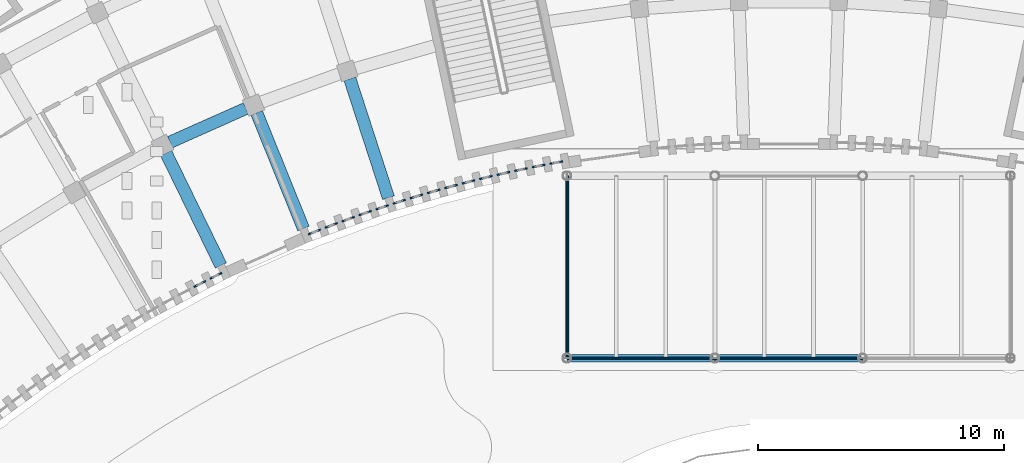
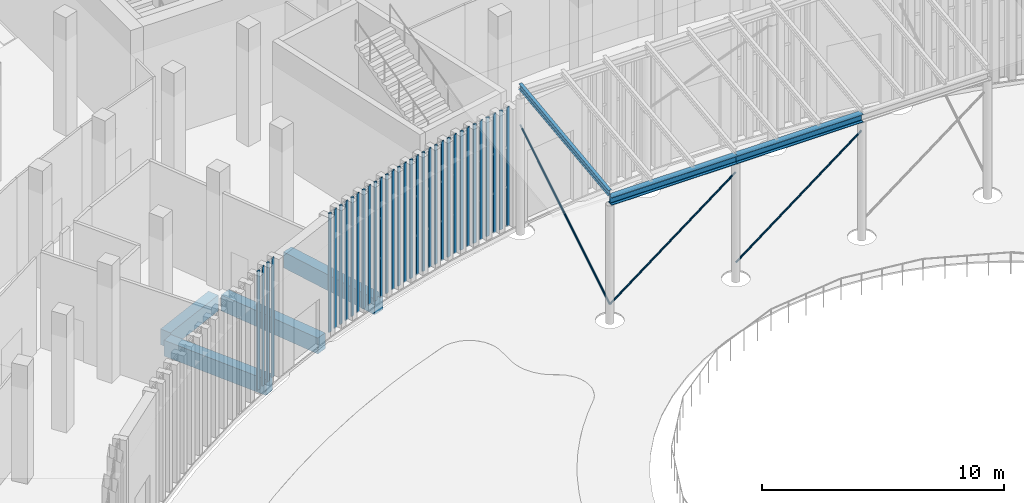
# One storey, part 29 of 155: 37 members, 7 beams, 17 elements without a shape of their own.
"""IFC4 building model written with IfcOpenShell, lengths in metres."""

import ifcopenshell
import ifcopenshell.guid

model = None  # the IFC model being written
_history = None  # IfcOwnerHistory: only IFC2X3 demands one
_inside = {}  # id of a spatial element -> (the spatial element, [elements in it])
_under = {}  # id of a project, library or spatial element -> (it, [spatial elements below it])
_declared = {}  # id of a project -> (the project, [libraries it declares])
_typed = {}  # id of a type object -> (the type object, [elements of that type])
_made_of = {}  # id of a material, layer set ... -> (it, [elements and type objects made of it])


def new_model(schema):
    """Start an empty IFC model of exactly this schema.

    Asked for "IFC4X3", IfcOpenShell would pick the latest addendum, in which some entities
    have other attributes; the version numbers below select the first issue.
    IFC2X3 requires an IfcOwnerHistory on every rooted entity: one is made here for all.
    """
    global model, _history
    if schema == "IFC4X3":
        model = ifcopenshell.file(schema_version=(4, 3, 0, 0))
    else:
        model = ifcopenshell.file(schema=schema)
    _inside.clear()
    _under.clear()
    _declared.clear()
    _typed.clear()
    _made_of.clear()
    _history = None
    if model.schema == "IFC2X3":
        org = make("IfcOrganization", Name="unknown")
        user = make(
            "IfcPersonAndOrganization",
            ThePerson=make("IfcPerson", FamilyName="unknown"),
            TheOrganization=org,
        )
        app = make(
            "IfcApplication",
            ApplicationDeveloper=org,
            Version="unknown",
            ApplicationFullName="unknown",
            ApplicationIdentifier="unknown",
        )
        _history = make(
            "IfcOwnerHistory",
            OwningUser=user,
            OwningApplication=app,
            ChangeAction="ADDED",
            CreationDate=0,
        )
    return model


def make(cls, **values):
    """One entity of the class cls with the attributes given. An attribute that is None is left unset."""
    return model.create_entity(
        cls, **{name: value for name, value in values.items() if value is not None}
    )


def rooted(cls, **values):
    """An entity with a GlobalId (a new one), such as an element, a storey or a relation."""
    return make(cls, GlobalId=ifcopenshell.guid.new(), OwnerHistory=_history, **values)


def si_unit(unit_type, name, prefix=None):
    """IfcSIUnit, for example si_unit("LENGTHUNIT", "METRE", prefix="MILLI")."""
    return make("IfcSIUnit", UnitType=unit_type, Prefix=prefix, Name=name)


def assignment(units):
    """IfcUnitAssignment: the units of a project."""
    return None if units is None else make("IfcUnitAssignment", Units=units)


def point(xyz):
    """IfcCartesianPoint."""
    return None if xyz is None else make("IfcCartesianPoint", Coordinates=xyz)


def direction(xyz):
    """IfcDirection."""
    return None if xyz is None else make("IfcDirection", DirectionRatios=xyz)


def frame(location, z_axis=None, x_axis=None):
    """IfcAxis2Placement3D, a coordinate frame: its origin and axes. An axis left out is left unset."""
    return make(
        "IfcAxis2Placement3D",
        Location=point(location),
        Axis=direction(z_axis),
        RefDirection=direction(x_axis),
    )


def frame_2d(location, x_axis=None):
    """IfcAxis2Placement2D, a coordinate frame in the plane: its origin and x axis."""
    return make(
        "IfcAxis2Placement2D", Location=point(location), RefDirection=direction(x_axis)
    )


def origin():
    """The frame at (0, 0, 0) with its axes left unset."""
    return frame((0.0, 0.0, 0.0))


def origin_2d():
    """The frame at (0, 0) in the plane with its x axis left unset."""
    return frame_2d((0.0, 0.0))


def place(relative_to, where):
    """IfcLocalPlacement: puts the frame where relative to a parent placement (None: the world)."""
    return make(
        "IfcLocalPlacement", PlacementRelTo=relative_to, RelativePlacement=where
    )


def context(
    kind, dimensions, precision=None, world=None, true_north=None, identifier=None
):
    """IfcGeometricRepresentationContext, for example the 3D "Model" context."""
    return make(
        "IfcGeometricRepresentationContext",
        ContextIdentifier=identifier,
        ContextType=kind,
        CoordinateSpaceDimension=dimensions,
        Precision=precision,
        WorldCoordinateSystem=world,
        TrueNorth=true_north,
    )


def subcontext(parent, identifier, kind, view, scale=None):
    """IfcGeometricRepresentationSubContext, for example "Body" below "Model"."""
    return make(
        "IfcGeometricRepresentationSubContext",
        ContextIdentifier=identifier,
        ContextType=kind,
        ParentContext=parent,
        TargetScale=scale,
        TargetView=view,
    )


def project(units=None, contexts=None):
    """IfcProject with its units and contexts."""
    return rooted(
        "IfcProject",
        Name="project",
        RepresentationContexts=contexts,
        UnitsInContext=assignment(units),
    )


def spatial(cls, under=None, at=None, **own):
    """A site, building, storey or space (cls), placed at a placement, below another one or the project."""
    s = rooted(cls, ObjectPlacement=at, **own)
    if under is not None:
        _under.setdefault(under.id(), (under, []))[1].append(s)
    return s


def profile(cls, at=None, kind="AREA", **sizes):
    """A parametric profile (cls). Its sizes go by their IFC names, for example OverallWidth=200.0."""
    return make(cls, ProfileType=kind, Position=at, **sizes)


def rectangle(**sizes):
    """IfcRectangleProfileDef."""
    return profile("IfcRectangleProfileDef", **sizes)


def hollow_circle(**sizes):
    """IfcCircleHollowProfileDef."""
    return profile("IfcCircleHollowProfileDef", **sizes)


def i_section(**sizes):
    """IfcIShapeProfileDef."""
    return profile("IfcIShapeProfileDef", **sizes)


def extrude(swept, where, along, depth):
    """IfcExtrudedAreaSolid: the profile swept, set in the frame where, extruded along a direction by depth."""
    return make(
        "IfcExtrudedAreaSolid",
        SweptArea=swept,
        Position=where,
        ExtrudedDirection=direction(along),
        Depth=depth,
    )


def shape(context_of_items, identifier, shape_type, items):
    """IfcShapeRepresentation: the items that make up one representation, for example the "Body"."""
    return make(
        "IfcShapeRepresentation",
        ContextOfItems=context_of_items,
        RepresentationIdentifier=identifier,
        RepresentationType=shape_type,
        Items=items,
    )


def material(Name=None, Category=None):
    """IfcMaterial."""
    return make("IfcMaterial", Name=Name, Category=Category)


def layer(
    of_material, thickness, ventilated=None, Name=None, Category=None, Priority=None
):
    """IfcMaterialLayer: one layer of a wall or slab, of a material (None: an air gap)."""
    return make(
        "IfcMaterialLayer",
        Material=of_material,
        LayerThickness=thickness,
        IsVentilated=ventilated,
        Name=Name,
        Category=Category,
        Priority=Priority,
    )


def layer_set(layers, Name=None):
    """IfcMaterialLayerSet."""
    return make("IfcMaterialLayerSet", MaterialLayers=layers, LayerSetName=Name)


def material_profile(
    of_material, cross_section, Name=None, Category=None, Priority=None
):
    """IfcMaterialProfile: a cross section and its material."""
    return make(
        "IfcMaterialProfile",
        Name=Name,
        Material=of_material,
        Profile=cross_section,
        Priority=Priority,
        Category=Category,
    )


def profile_set(profiles, Name=None, composite=None):
    """IfcMaterialProfileSet."""
    return make(
        "IfcMaterialProfileSet",
        Name=Name,
        MaterialProfiles=profiles,
        CompositeProfile=composite,
    )


def made_of(thing, what):
    """Note that an element or type object is made of a material, layer set ...; save() writes the relation."""
    if what is not None:
        _made_of.setdefault(what.id(), (what, []))[1].append(thing)
    return thing


def type_object(cls, material=None, **own):
    """A type object (cls), such as IfcWallType, which elements share."""
    return made_of(rooted(cls, **own), material)


def element(
    cls,
    number,
    at=None,
    inside=None,
    cuts=None,
    type_object=None,
    material=None,
    context=None,
    identifier="Body",
    shape_type=None,
    held_by="IfcProductDefinitionShape",
    body=None,
    shapes=None,
    **own,
):
    """One element of the class cls, such as IfcWall. Its Tag is "e" and its number.

    at: its placement. inside: the storey or other place that contains it. cuts: it is an
    opening in that element (IfcRelVoidsElement). A single representation is given by context,
    identifier, shape_type and body (its items); several are given by shapes. held_by: the class
    of the entity that holds the representations. save() writes the other relations.
    """
    e = rooted(cls, Tag="e%d" % number, ObjectPlacement=at, **own)
    if body is not None:
        shapes = [shape(context, identifier, shape_type, body)]
    if shapes is not None:
        e.Representation = make(held_by, Representations=shapes)
    if inside is not None:
        _inside.setdefault(inside.id(), (inside, []))[1].append(e)
    if cuts is not None:
        rooted(
            "IfcRelVoidsElement", RelatingBuildingElement=cuts, RelatedOpeningElement=e
        )
    if type_object is not None:
        _typed.setdefault(type_object.id(), (type_object, []))[1].append(e)
    return made_of(e, material)


def aggregate(whole, parts):
    """IfcRelAggregates: a whole, such as a stair, and the parts it consists of."""
    return rooted("IfcRelAggregates", RelatingObject=whole, RelatedObjects=parts)


def save(model, path):
    """Write the relations noted so far, then the file.

    IfcRelAggregates (storeys below a building ...), IfcRelContainedInSpatialStructure (elements
    in a storey), IfcRelDefinesByType, IfcRelAssociatesMaterial and IfcRelDeclares: one each for
    every whole, place, type object, material and project.
    """
    for whole, parts in _under.values():
        aggregate(whole, parts)
    for where, things in _inside.values():
        rooted(
            "IfcRelContainedInSpatialStructure",
            RelatedElements=things,
            RelatingStructure=where,
        )
    for kind, things in _typed.values():
        rooted("IfcRelDefinesByType", RelatedObjects=things, RelatingType=kind)
    for what, things in _made_of.values():
        rooted("IfcRelAssociatesMaterial", RelatedObjects=things, RelatingMaterial=what)
    for by, libraries in _declared.values():
        rooted("IfcRelDeclares", RelatingContext=by, RelatedDefinitions=libraries)
    model.write(path)


model = new_model("IFC4")

# Units and contexts
model_context = context("Model", 3, precision=1e-05, world=origin(), true_north=direction((0.0, 1.0)))
body_context = subcontext(model_context, "Body", "Model", "MODEL_VIEW")
ifc_project = project(units=[si_unit("LENGTHUNIT", "METRE"), si_unit("AREAUNIT", "SQUARE_METRE"), si_unit("VOLUMEUNIT", "CUBIC_METRE"), si_unit("PLANEANGLEUNIT", "RADIAN"), si_unit("MASSUNIT", "GRAM", prefix="KILO")], contexts=[model_context])

# Site, building, storey
site_placement = place(None, origin())
site = spatial("IfcSite", under=ifc_project, at=site_placement, CompositionType="ELEMENT")
building_placement = place(site_placement, origin())
building = spatial("IfcBuilding", under=site, at=building_placement, Name="Lunette Opera House", CompositionType="ELEMENT")
storey_placement = place(building_placement, origin())
storey = spatial("IfcBuildingStorey", under=building, at=storey_placement, Name="L00", CompositionType="ELEMENT", Elevation=0.0)

# Members
ifc_material_1 = material(Name="Steel S355", Category="steel")
ifc_material_profile_1 = material_profile(ifc_material_1, hollow_circle(Radius=0.04443359375, WallThickness=0.00390625, at=origin_2d()), Name="CHS 88.9X4")
ifc_profile_set_1 = profile_set([ifc_material_profile_1], Name="Steel S355")
member_type_1 = type_object("IfcMemberType", Name="BRACING CHS 88.9X4", PredefinedType="BRACE", material=ifc_profile_set_1)
for number, where, z_axis, x_axis, name in (
    (1, (87.0, 43.5, 0.800048828125), (0.796096023069, 0.0, 0.605170324828), (0.0, 1.0, 0.0), "mem-EC-L00-BR1"),
    (2, (93.0, 43.5, 0.800048828125), (0.796096023069, 0.0, 0.605170324828), (0.0, 1.0, 0.0), "mem-EC-L00-BR2"),
):
    element("IfcMember", number, at=place(storey_placement, frame(where, z_axis=z_axis, x_axis=x_axis)), inside=storey, type_object=member_type_1, Name=name, PredefinedType="BRACE", context=body_context, shape_type="SweptSolid", body=[
        extrude(hollow_circle(Radius=0.04443359375, WallThickness=0.00390625, at=origin_2d()), origin(), (0.0, 0.0, 1.0), 7.536865234375),
    ])
member_1_placement = place(storey_placement, frame((87.0, 43.5, 0.800048828125), z_axis=(0.0, 0.851285872344, 0.524702166517), x_axis=(-1.0, 0.0, 0.0)))
element("IfcMember", 3, at=member_1_placement, inside=storey, type_object=member_type_1, Name="mem-EC-L00-BS1", PredefinedType="BRACE", context=body_context, shape_type="SweptSolid", body=[
    extrude(hollow_circle(Radius=0.04443359375, WallThickness=0.00390625, at=origin_2d()), origin(), (0.0, 0.0, 1.0), 8.692626953125),
])

# Curtain wall, members
ifc_material_2 = material(Name="Aluminium", Category="aluminium")
ifc_layer = layer(ifc_material_2, 0.1201171875)
ifc_layer_set = layer_set([ifc_layer], Name="Aluminium")
curtain_wall_type = type_object("IfcCurtainWallType", Name="SLOT CURTAIN WALL", PredefinedType="NOTDEFINED", material=ifc_layer_set)
curtain_wall_1_placement = place(storey_placement, origin())
curtain_wall_1 = element("IfcCurtainWall", 4, at=curtain_wall_1_placement, inside=storey, type_object=curtain_wall_type, Name="Slot Curtain Wall CS019 L00", PredefinedType="NOTDEFINED")
ifc_material_3 = material(Name="Aluminium", Category="aluminium")
ifc_material_profile_2 = material_profile(ifc_material_3, rectangle(XDim=0.06005859375, YDim=0.159912109375, at=origin_2d()), Name="MULLION 60 X 160")
ifc_profile_set_2 = profile_set([ifc_material_profile_2], Name="Aluminium")
member_type_2 = type_object("IfcMemberType", Name="MULLION 60 X 160", PredefinedType="MULLION", material=ifc_profile_set_2)
member_2_placement = place(storey_placement, frame((71.9296875, 46.431640625, 0.0), z_axis=(0.0, 0.0, 1.0), x_axis=(-0.45650577905, 0.889720446935, 0.0)))
member_2 = element("IfcMember", 5, at=member_2_placement, type_object=member_type_2, Name="FC-X2037 mullion 1", PredefinedType="MULLION", context=body_context, shape_type="SweptSolid", body=[
    extrude(rectangle(XDim=0.06005859375, YDim=0.159912109375, at=origin_2d()), origin(), (0.0, 0.0, 1.0), 6.0),
])
member_3_placement = place(storey_placement, frame((72.25830078125, 46.600341796875, 0.0), z_axis=(0.0, 0.0, 1.0), x_axis=(-0.45650577905, 0.889720446935, 0.0)))
member_3 = element("IfcMember", 6, at=member_3_placement, type_object=member_type_2, Name="FC-X2037 mullion 2", PredefinedType="MULLION", context=body_context, shape_type="SweptSolid", body=[
    extrude(rectangle(XDim=0.06005859375, YDim=0.159912109375, at=origin_2d()), origin(), (0.0, 0.0, 1.0), 6.0),
])
aggregate(curtain_wall_1, [member_2, member_3])

curtain_wall_2_placement = place(storey_placement, origin())
curtain_wall_2 = element("IfcCurtainWall", 7, at=curtain_wall_2_placement, inside=storey, type_object=curtain_wall_type, Name="Slot Curtain Wall CS020 L00", PredefinedType="NOTDEFINED")
member_4_placement = place(storey_placement, frame((72.579833984375, 46.763427734375, 0.0), z_axis=(0.0, 0.0, 1.0), x_axis=(-0.444419253552, 0.895818914219, 0.0)))
member_4 = element("IfcMember", 8, at=member_4_placement, type_object=member_type_2, Name="FC-X2039 mullion 1", PredefinedType="MULLION", context=body_context, shape_type="SweptSolid", body=[
    extrude(rectangle(XDim=0.06005859375, YDim=0.159912109375, at=origin_2d()), origin(), (0.0, 0.0, 1.0), 6.0),
])
member_5_placement = place(storey_placement, frame((72.9111328125, 46.927734375, 0.0), z_axis=(0.0, 0.0, 1.0), x_axis=(-0.444419253552, 0.895818914219, 0.0)))
member_5 = element("IfcMember", 9, at=member_5_placement, type_object=member_type_2, Name="FC-X2039 mullion 2", PredefinedType="MULLION", context=body_context, shape_type="SweptSolid", body=[
    extrude(rectangle(XDim=0.06005859375, YDim=0.159912109375, at=origin_2d()), origin(), (0.0, 0.0, 1.0), 6.0),
])
aggregate(curtain_wall_2, [member_4, member_5])

curtain_wall_3_placement = place(storey_placement, origin())
curtain_wall_3 = element("IfcCurtainWall", 10, at=curtain_wall_3_placement, inside=storey, type_object=curtain_wall_type, Name="Slot Curtain Wall CS021 L00", PredefinedType="NOTDEFINED")
member_6_placement = place(storey_placement, frame((76.574951171875, 48.55908203125, 0.0), z_axis=(0.0, 0.0, 1.0), x_axis=(-0.367378285076, 0.93007160781, 0.0)))
member_6 = element("IfcMember", 11, at=member_6_placement, type_object=member_type_2, Name="FC-X2041 mullion 1", PredefinedType="MULLION", context=body_context, shape_type="SweptSolid", body=[
    extrude(rectangle(XDim=0.06005859375, YDim=0.159912109375, at=origin_2d()), origin(), (0.0, 0.0, 1.0), 6.0),
])
member_7_placement = place(storey_placement, frame((76.919189453125, 48.695068359375, 0.0), z_axis=(0.0, 0.0, 1.0), x_axis=(-0.367378285076, 0.93007160781, 0.0)))
member_7 = element("IfcMember", 12, at=member_7_placement, type_object=member_type_2, Name="FC-X2041 mullion 2", PredefinedType="MULLION", context=body_context, shape_type="SweptSolid", body=[
    extrude(rectangle(XDim=0.06005859375, YDim=0.159912109375, at=origin_2d()), origin(), (0.0, 0.0, 1.0), 6.0),
])
aggregate(curtain_wall_3, [member_6, member_7])

curtain_wall_4_placement = place(storey_placement, origin())
curtain_wall_4 = element("IfcCurtainWall", 13, at=curtain_wall_4_placement, inside=storey, type_object=curtain_wall_type, Name="Slot Curtain Wall CS022 L00", PredefinedType="NOTDEFINED")
member_8_placement = place(storey_placement, frame((77.255126953125, 48.82568359375, 0.0), z_axis=(0.0, 0.0, 1.0), x_axis=(-0.353672046164, 0.935369490502, 0.0)))
member_8 = element("IfcMember", 14, at=member_8_placement, type_object=member_type_2, Name="FC-X2043 mullion 1", PredefinedType="MULLION", context=body_context, shape_type="SweptSolid", body=[
    extrude(rectangle(XDim=0.06005859375, YDim=0.159912109375, at=origin_2d()), origin(), (0.0, 0.0, 1.0), 6.0),
])
member_9_placement = place(storey_placement, frame((77.600830078125, 48.956298828125, 0.0), z_axis=(0.0, 0.0, 1.0), x_axis=(-0.353672046164, 0.935369490502, 0.0)))
member_9 = element("IfcMember", 15, at=member_9_placement, type_object=member_type_2, Name="FC-X2043 mullion 2", PredefinedType="MULLION", context=body_context, shape_type="SweptSolid", body=[
    extrude(rectangle(XDim=0.06005859375, YDim=0.159912109375, at=origin_2d()), origin(), (0.0, 0.0, 1.0), 6.0),
])
aggregate(curtain_wall_4, [member_8, member_9])

curtain_wall_5_placement = place(storey_placement, origin())
curtain_wall_5 = element("IfcCurtainWall", 16, at=curtain_wall_5_placement, inside=storey, type_object=curtain_wall_type, Name="Slot Curtain Wall CS023 L00", PredefinedType="NOTDEFINED")
member_10_placement = place(storey_placement, frame((77.938232421875, 49.082275390625, 0.0), z_axis=(0.0, 0.0, 1.0), x_axis=(-0.341183934655, 0.939996554639, 0.0)))
member_10 = element("IfcMember", 17, at=member_10_placement, type_object=member_type_2, Name="FC-X2045 mullion 1", PredefinedType="MULLION", context=body_context, shape_type="SweptSolid", body=[
    extrude(rectangle(XDim=0.06005859375, YDim=0.159912109375, at=origin_2d()), origin(), (0.0, 0.0, 1.0), 6.0),
])
member_11_placement = place(storey_placement, frame((78.286865234375, 49.208740234375, 0.0), z_axis=(0.0, 0.0, 1.0), x_axis=(-0.341183934655, 0.939996554639, 0.0)))
member_11 = element("IfcMember", 18, at=member_11_placement, type_object=member_type_2, Name="FC-X2045 mullion 2", PredefinedType="MULLION", context=body_context, shape_type="SweptSolid", body=[
    extrude(rectangle(XDim=0.06005859375, YDim=0.159912109375, at=origin_2d()), origin(), (0.0, 0.0, 1.0), 6.0),
])
aggregate(curtain_wall_5, [member_10, member_11])

curtain_wall_6_placement = place(storey_placement, origin())
curtain_wall_6 = element("IfcCurtainWall", 19, at=curtain_wall_6_placement, inside=storey, type_object=curtain_wall_type, Name="Slot Curtain Wall CS024 L00", PredefinedType="NOTDEFINED")
member_12_placement = place(storey_placement, frame((78.625244140625, 49.329833984375, 0.0), z_axis=(0.0, 0.0, 1.0), x_axis=(-0.327349770191, 0.944903237351, 0.0)))
member_12 = element("IfcMember", 20, at=member_12_placement, type_object=member_type_2, Name="FC-X2047 mullion 1", PredefinedType="MULLION", context=body_context, shape_type="SweptSolid", body=[
    extrude(rectangle(XDim=0.06005859375, YDim=0.159912109375, at=origin_2d()), origin(), (0.0, 0.0, 1.0), 6.0),
])
member_13_placement = place(storey_placement, frame((78.9755859375, 49.451171875, 0.0), z_axis=(0.0, 0.0, 1.0), x_axis=(-0.327349770191, 0.944903237351, 0.0)))
member_13 = element("IfcMember", 21, at=member_13_placement, type_object=member_type_2, Name="FC-X2047 mullion 2", PredefinedType="MULLION", context=body_context, shape_type="SweptSolid", body=[
    extrude(rectangle(XDim=0.06005859375, YDim=0.159912109375, at=origin_2d()), origin(), (0.0, 0.0, 1.0), 6.0),
])
aggregate(curtain_wall_6, [member_12, member_13])

curtain_wall_7_placement = place(storey_placement, origin())
curtain_wall_7 = element("IfcCurtainWall", 22, at=curtain_wall_7_placement, inside=storey, type_object=curtain_wall_type, Name="Slot Curtain Wall CS025 L00", PredefinedType="NOTDEFINED")
member_14_placement = place(storey_placement, frame((79.31640625, 49.5673828125, 0.0), z_axis=(0.0, 0.0, 1.0), x_axis=(-0.316227766018, 0.94868329805, 0.0)))
member_14 = element("IfcMember", 23, at=member_14_placement, type_object=member_type_2, Name="FC-X2049 mullion 1", PredefinedType="MULLION", context=body_context, shape_type="SweptSolid", body=[
    extrude(rectangle(XDim=0.06005859375, YDim=0.159912109375, at=origin_2d()), origin(), (0.0, 0.0, 1.0), 6.0),
])
member_15_placement = place(storey_placement, frame((79.66748046875, 49.6845703125, 0.0), z_axis=(0.0, 0.0, 1.0), x_axis=(-0.316227766018, 0.94868329805, 0.0)))
member_15 = element("IfcMember", 24, at=member_15_placement, type_object=member_type_2, Name="FC-X2049 mullion 2", PredefinedType="MULLION", context=body_context, shape_type="SweptSolid", body=[
    extrude(rectangle(XDim=0.06005859375, YDim=0.159912109375, at=origin_2d()), origin(), (0.0, 0.0, 1.0), 6.0),
])
aggregate(curtain_wall_7, [member_14, member_15])

curtain_wall_8_placement = place(storey_placement, origin())
curtain_wall_8 = element("IfcCurtainWall", 25, at=curtain_wall_8_placement, inside=storey, type_object=curtain_wall_type, Name="Slot Curtain Wall CS026 L00", PredefinedType="NOTDEFINED")
member_16_placement = place(storey_placement, frame((80.009521484375, 49.795166015625, 0.0), z_axis=(0.0, 0.0, 1.0), x_axis=(-0.302243860731, 0.9532306377, 0.0)))
member_16 = element("IfcMember", 26, at=member_16_placement, type_object=member_type_2, Name="FC-X2051 mullion 1", PredefinedType="MULLION", context=body_context, shape_type="SweptSolid", body=[
    extrude(rectangle(XDim=0.06005859375, YDim=0.159912109375, at=origin_2d()), origin(), (0.0, 0.0, 1.0), 6.0),
])
member_17_placement = place(storey_placement, frame((80.3623046875, 49.906982421875, 0.0), z_axis=(0.0, 0.0, 1.0), x_axis=(-0.302243860731, 0.9532306377, 0.0)))
member_17 = element("IfcMember", 27, at=member_17_placement, type_object=member_type_2, Name="FC-X2051 mullion 2", PredefinedType="MULLION", context=body_context, shape_type="SweptSolid", body=[
    extrude(rectangle(XDim=0.06005859375, YDim=0.159912109375, at=origin_2d()), origin(), (0.0, 0.0, 1.0), 6.0),
])
aggregate(curtain_wall_8, [member_16, member_17])

curtain_wall_9_placement = place(storey_placement, origin())
curtain_wall_9 = element("IfcCurtainWall", 28, at=curtain_wall_9_placement, inside=storey, type_object=curtain_wall_type, Name="Slot Curtain Wall CS027 L00", PredefinedType="NOTDEFINED")
member_18_placement = place(storey_placement, frame((80.706787109375, 50.013671875, 0.0), z_axis=(0.0, 0.0, 1.0), x_axis=(-0.290329696075, 0.956926678266, 0.0)))
member_18 = element("IfcMember", 29, at=member_18_placement, type_object=member_type_2, Name="FC-X2053 mullion 1", PredefinedType="MULLION", context=body_context, shape_type="SweptSolid", body=[
    extrude(rectangle(XDim=0.06005859375, YDim=0.159912109375, at=origin_2d()), origin(), (0.0, 0.0, 1.0), 6.0),
])
member_19_placement = place(storey_placement, frame((81.061279296875, 50.121337890625, 0.0), z_axis=(0.0, 0.0, 1.0), x_axis=(-0.290329696075, 0.956926678266, 0.0)))
member_19 = element("IfcMember", 30, at=member_19_placement, type_object=member_type_2, Name="FC-X2053 mullion 2", PredefinedType="MULLION", context=body_context, shape_type="SweptSolid", body=[
    extrude(rectangle(XDim=0.06005859375, YDim=0.159912109375, at=origin_2d()), origin(), (0.0, 0.0, 1.0), 6.0),
])
aggregate(curtain_wall_9, [member_18, member_19])

curtain_wall_10_placement = place(storey_placement, origin())
curtain_wall_10 = element("IfcCurtainWall", 31, at=curtain_wall_10_placement, inside=storey, type_object=curtain_wall_type, Name="Slot Curtain Wall CS028 L00", PredefinedType="NOTDEFINED")
member_20_placement = place(storey_placement, frame((81.40576171875, 50.22216796875, 0.0), z_axis=(0.0, 0.0, 1.0), x_axis=(-0.276253818781, 0.961084714065, 0.0)))
member_20 = element("IfcMember", 32, at=member_20_placement, type_object=member_type_2, Name="FC-X2055 mullion 1", PredefinedType="MULLION", context=body_context, shape_type="SweptSolid", body=[
    extrude(rectangle(XDim=0.06005859375, YDim=0.159912109375, at=origin_2d()), origin(), (0.0, 0.0, 1.0), 6.0),
])
member_21_placement = place(storey_placement, frame((81.76220703125, 50.32470703125, 0.0), z_axis=(0.0, 0.0, 1.0), x_axis=(-0.276253818781, 0.961084714065, 0.0)))
member_21 = element("IfcMember", 33, at=member_21_placement, type_object=member_type_2, Name="FC-X2055 mullion 2", PredefinedType="MULLION", context=body_context, shape_type="SweptSolid", body=[
    extrude(rectangle(XDim=0.06005859375, YDim=0.159912109375, at=origin_2d()), origin(), (0.0, 0.0, 1.0), 6.0),
])
aggregate(curtain_wall_10, [member_20, member_21])

curtain_wall_11_placement = place(storey_placement, origin())
curtain_wall_11 = element("IfcCurtainWall", 34, at=curtain_wall_11_placement, inside=storey, type_object=curtain_wall_type, Name="Slot Curtain Wall CS029 L00", PredefinedType="NOTDEFINED")
member_22_placement = place(storey_placement, frame((82.10888671875, 50.421875, 0.0), z_axis=(0.0, 0.0, 1.0), x_axis=(-0.260557433934, 0.965458348983, 0.0)))
member_22 = element("IfcMember", 35, at=member_22_placement, type_object=member_type_2, Name="FC-X2057 mullion 1", PredefinedType="MULLION", context=body_context, shape_type="SweptSolid", body=[
    extrude(rectangle(XDim=0.06005859375, YDim=0.159912109375, at=origin_2d()), origin(), (0.0, 0.0, 1.0), 6.0),
])
member_23_placement = place(storey_placement, frame((82.466064453125, 50.51806640625, 0.0), z_axis=(0.0, 0.0, 1.0), x_axis=(-0.260557433934, 0.965458348983, 0.0)))
member_23 = element("IfcMember", 36, at=member_23_placement, type_object=member_type_2, Name="FC-X2057 mullion 2", PredefinedType="MULLION", context=body_context, shape_type="SweptSolid", body=[
    extrude(rectangle(XDim=0.06005859375, YDim=0.159912109375, at=origin_2d()), origin(), (0.0, 0.0, 1.0), 6.0),
])
aggregate(curtain_wall_11, [member_22, member_23])

curtain_wall_12_placement = place(storey_placement, origin())
curtain_wall_12 = element("IfcCurtainWall", 37, at=curtain_wall_12_placement, inside=storey, type_object=curtain_wall_type, Name="Slot Curtain Wall CS030 L00", PredefinedType="NOTDEFINED")
member_24_placement = place(storey_placement, frame((82.81396484375, 50.6103515625, 0.0), z_axis=(0.0, 0.0, 1.0), x_axis=(-0.248543003132, 0.968620862667, 0.0)))
member_24 = element("IfcMember", 38, at=member_24_placement, type_object=member_type_2, Name="FC-X2059 mullion 1", PredefinedType="MULLION", context=body_context, shape_type="SweptSolid", body=[
    extrude(rectangle(XDim=0.06005859375, YDim=0.159912109375, at=origin_2d()), origin(), (0.0, 0.0, 1.0), 6.0),
])
member_25_placement = place(storey_placement, frame((83.1728515625, 50.70263671875, 0.0), z_axis=(0.0, 0.0, 1.0), x_axis=(-0.248543003132, 0.968620862667, 0.0)))
member_25 = element("IfcMember", 39, at=member_25_placement, type_object=member_type_2, Name="FC-X2059 mullion 2", PredefinedType="MULLION", context=body_context, shape_type="SweptSolid", body=[
    extrude(rectangle(XDim=0.06005859375, YDim=0.159912109375, at=origin_2d()), origin(), (0.0, 0.0, 1.0), 6.0),
])
aggregate(curtain_wall_12, [member_24, member_25])

curtain_wall_13_placement = place(storey_placement, origin())
curtain_wall_13 = element("IfcCurtainWall", 40, at=curtain_wall_13_placement, inside=storey, type_object=curtain_wall_type, Name="Slot Curtain Wall CS031 L00", PredefinedType="NOTDEFINED")
member_26_placement = place(storey_placement, frame((83.522216796875, 50.7900390625, 0.0), z_axis=(0.0, 0.0, 1.0), x_axis=(-0.234867843442, 0.972027312434, 0.0)))
member_26 = element("IfcMember", 41, at=member_26_placement, type_object=member_type_2, Name="FC-X2061 mullion 1", PredefinedType="MULLION", context=body_context, shape_type="SweptSolid", body=[
    extrude(rectangle(XDim=0.06005859375, YDim=0.159912109375, at=origin_2d()), origin(), (0.0, 0.0, 1.0), 6.0),
])
member_27_placement = place(storey_placement, frame((83.8818359375, 50.876953125, 0.0), z_axis=(0.0, 0.0, 1.0), x_axis=(-0.234867843442, 0.972027312434, 0.0)))
member_27 = element("IfcMember", 42, at=member_27_placement, type_object=member_type_2, Name="FC-X2061 mullion 2", PredefinedType="MULLION", context=body_context, shape_type="SweptSolid", body=[
    extrude(rectangle(XDim=0.06005859375, YDim=0.159912109375, at=origin_2d()), origin(), (0.0, 0.0, 1.0), 6.0),
])
aggregate(curtain_wall_13, [member_26, member_27])

curtain_wall_14_placement = place(storey_placement, origin())
curtain_wall_14 = element("IfcCurtainWall", 43, at=curtain_wall_14_placement, inside=storey, type_object=curtain_wall_type, Name="Slot Curtain Wall CS032 L00", PredefinedType="NOTDEFINED")
member_28_placement = place(storey_placement, frame((84.232177734375, 50.958740234375, 0.0), z_axis=(0.0, 0.0, 1.0), x_axis=(-0.222824801509, 0.97485850657, 0.0)))
member_28 = element("IfcMember", 44, at=member_28_placement, type_object=member_type_2, Name="FC-X2063 mullion 1", PredefinedType="MULLION", context=body_context, shape_type="SweptSolid", body=[
    extrude(rectangle(XDim=0.06005859375, YDim=0.159912109375, at=origin_2d()), origin(), (0.0, 0.0, 1.0), 6.0),
])
member_29_placement = place(storey_placement, frame((84.59375, 51.041259765625, 0.0), z_axis=(0.0, 0.0, 1.0), x_axis=(-0.222824801509, 0.97485850657, 0.0)))
member_29 = element("IfcMember", 45, at=member_29_placement, type_object=member_type_2, Name="FC-X2063 mullion 2", PredefinedType="MULLION", context=body_context, shape_type="SweptSolid", body=[
    extrude(rectangle(XDim=0.06005859375, YDim=0.159912109375, at=origin_2d()), origin(), (0.0, 0.0, 1.0), 6.0),
])
aggregate(curtain_wall_14, [member_28, member_29])

curtain_wall_15_placement = place(storey_placement, origin())
curtain_wall_15 = element("IfcCurtainWall", 46, at=curtain_wall_15_placement, inside=storey, type_object=curtain_wall_type, Name="Slot Curtain Wall CS033 L00", PredefinedType="NOTDEFINED")
member_30_placement = place(storey_placement, frame((84.9453125, 51.1181640625, 0.0), z_axis=(0.0, 0.0, 1.0), x_axis=(-0.206830258672, 0.978376841558, 0.0)))
member_30 = element("IfcMember", 47, at=member_30_placement, type_object=member_type_2, Name="FC-X2065 mullion 1", PredefinedType="MULLION", context=body_context, shape_type="SweptSolid", body=[
    extrude(rectangle(XDim=0.06005859375, YDim=0.159912109375, at=origin_2d()), origin(), (0.0, 0.0, 1.0), 6.0),
])
member_31_placement = place(storey_placement, frame((85.3076171875, 51.19482421875, 0.0), z_axis=(0.0, 0.0, 1.0), x_axis=(-0.206830258672, 0.978376841558, 0.0)))
member_31 = element("IfcMember", 48, at=member_31_placement, type_object=member_type_2, Name="FC-X2065 mullion 2", PredefinedType="MULLION", context=body_context, shape_type="SweptSolid", body=[
    extrude(rectangle(XDim=0.06005859375, YDim=0.159912109375, at=origin_2d()), origin(), (0.0, 0.0, 1.0), 6.0),
])
aggregate(curtain_wall_15, [member_30, member_31])

curtain_wall_16_placement = place(storey_placement, origin())
curtain_wall_16 = element("IfcCurtainWall", 49, at=curtain_wall_16_placement, inside=storey, type_object=curtain_wall_type, Name="Slot Curtain Wall CS034 L00", PredefinedType="NOTDEFINED")
member_32_placement = place(storey_placement, frame((85.660400390625, 51.267822265625, 0.0), z_axis=(0.0, 0.0, 1.0), x_axis=(-0.192985163529, 0.981201674814, 0.0)))
member_32 = element("IfcMember", 50, at=member_32_placement, type_object=member_type_2, Name="FC-X2067 mullion 1", PredefinedType="MULLION", context=body_context, shape_type="SweptSolid", body=[
    extrude(rectangle(XDim=0.06005859375, YDim=0.159912109375, at=origin_2d()), origin(), (0.0, 0.0, 1.0), 6.0),
])
member_33_placement = place(storey_placement, frame((86.023681640625, 51.339111328125, 0.0), z_axis=(0.0, 0.0, 1.0), x_axis=(-0.192985163529, 0.981201674814, 0.0)))
member_33 = element("IfcMember", 51, at=member_33_placement, type_object=member_type_2, Name="FC-X2067 mullion 2", PredefinedType="MULLION", context=body_context, shape_type="SweptSolid", body=[
    extrude(rectangle(XDim=0.06005859375, YDim=0.159912109375, at=origin_2d()), origin(), (0.0, 0.0, 1.0), 6.0),
])
aggregate(curtain_wall_16, [member_32, member_33])

curtain_wall_17_placement = place(storey_placement, origin())
curtain_wall_17 = element("IfcCurtainWall", 52, at=curtain_wall_17_placement, inside=storey, type_object=curtain_wall_type, Name="Slot Curtain Wall CS035 L00", PredefinedType="NOTDEFINED")
member_34_placement = place(storey_placement, frame((86.37646484375, 51.407470703125, 0.0), z_axis=(0.0, 0.0, 1.0), x_axis=(-0.178681227225, 0.983907017475, 0.0)))
member_34 = element("IfcMember", 53, at=member_34_placement, type_object=member_type_2, Name="FC-X2069 mullion 1", PredefinedType="MULLION", context=body_context, shape_type="SweptSolid", body=[
    extrude(rectangle(XDim=0.06005859375, YDim=0.159912109375, at=origin_2d()), origin(), (0.0, 0.0, 1.0), 6.0),
])
member_35_placement = place(storey_placement, frame((86.741455078125, 51.4736328125, 0.0), z_axis=(0.0, 0.0, 1.0), x_axis=(-0.178681227225, 0.983907017475, 0.0)))
member_35 = element("IfcMember", 54, at=member_35_placement, type_object=member_type_2, Name="FC-X2069 mullion 2", PredefinedType="MULLION", context=body_context, shape_type="SweptSolid", body=[
    extrude(rectangle(XDim=0.06005859375, YDim=0.159912109375, at=origin_2d()), origin(), (0.0, 0.0, 1.0), 6.0),
])
aggregate(curtain_wall_17, [member_34, member_35])

# Beams
ifc_material_4 = material(Name="Concrete C35/45", Category="concrete")
ifc_material_profile_3 = material_profile(ifc_material_4, rectangle(XDim=0.5, YDim=0.800048828125, at=origin_2d()), Name="RC BEAM 500X800")
ifc_profile_set_3 = profile_set([ifc_material_profile_3], Name="Concrete C35/45")
beam_type_1 = type_object("IfcBeamType", Name="RC BEAM 500X800", PredefinedType="BEAM", material=ifc_profile_set_3)
beam_1_placement = place(storey_placement, frame((72.946044921875, 47.26806640625, -0.6201171875), z_axis=(-0.438348663616, 0.898805011727, 0.0), x_axis=(-0.898805011727, -0.438348663616, 0.0)))
element("IfcBeam", 55, at=beam_1_placement, inside=storey, type_object=beam_type_1, Name="beam-FC-L00-L00-RB-RL-07-1", PredefinedType="BEAM", context=body_context, shape_type="SweptSolid", body=[
    extrude(rectangle(XDim=0.5, YDim=0.800048828125, at=origin_2d()), origin(), (0.0, 0.0, 1.0), 5.06884765625),
])
beam_2_placement = place(storey_placement, frame((76.299072265625, 48.760986328125, -0.6201171875), z_axis=(-0.374651769288, 0.927165601049, 0.0), x_axis=(-0.927165601049, -0.374651769288, 0.0)))
element("IfcBeam", 56, at=beam_2_placement, inside=storey, type_object=beam_type_1, Name="beam-FC-L00-L00-RB-RL-08-1", PredefinedType="BEAM", context=body_context, shape_type="SweptSolid", body=[
    extrude(rectangle(XDim=0.5, YDim=0.800048828125, at=origin_2d()), origin(), (0.0, 0.0, 1.0), 5.069091796875),
])
beam_3_placement = place(storey_placement, frame((79.7490234375, 50.01611328125, -0.6201171875), z_axis=(-0.309096960603, 0.951030529976, 0.0), x_axis=(-0.951030529976, -0.309096960603, 0.0)))
element("IfcBeam", 57, at=beam_3_placement, inside=storey, type_object=beam_type_1, Name="beam-FC-L00-L00-RB-RL-09-1", PredefinedType="BEAM", context=body_context, shape_type="SweptSolid", body=[
    extrude(rectangle(XDim=0.5, YDim=0.800048828125, at=origin_2d()), origin(), (0.0, 0.0, 1.0), 5.070068359375),
])
beam_4_placement = place(storey_placement, frame((70.885009765625, 52.26806640625, -0.6201171875), z_axis=(0.913443552561, 0.406965448515, 0.0), x_axis=(-0.406965448515, 0.913443552561, 0.0)))
element("IfcBeam", 58, at=beam_4_placement, inside=storey, type_object=beam_type_1, Name="beam-FC-L00-L00-RG-AR-M1-RL-07", PredefinedType="BEAM", context=body_context, shape_type="SweptSolid", body=[
    extrude(rectangle(XDim=0.5, YDim=0.800048828125, at=origin_2d()), origin(), (0.0, 0.0, 1.0), 3.368408203125),
])
ifc_material_5 = material(Name="Steel S355", Category="steel")
ifc_material_profile_4 = material_profile(ifc_material_5, i_section(OverallWidth=0.300048828125, OverallDepth=0.39990234375, WebThickness=0.013427734375, FlangeThickness=0.02392578125, FilletRadius=0.027099609375, at=origin_2d()), Name="HEB 400")
ifc_profile_set_4 = profile_set([ifc_material_profile_4], Name="Steel S355")
beam_type_2 = type_object("IfcBeamType", Name="STEEL BEAM HEB 400", PredefinedType="BEAM", material=ifc_profile_set_4)
for number, where, z_axis, x_axis, name in (
    (59, (87.0, 43.5, 6.06103515625), (1.0, 0.0, 0.0), (0.0, 1.0, 0.0), "beam-EC-L00-PB4-1"),
    (60, (93.0, 43.5, 6.06103515625), (1.0, 0.0, 0.0), (0.0, 1.0, 0.0), "beam-EC-L00-PB4-2"),
):
    element("IfcBeam", number, at=place(storey_placement, frame(where, z_axis=z_axis, x_axis=x_axis)), inside=storey, type_object=beam_type_2, Name=name, PredefinedType="BEAM", context=body_context, shape_type="SweptSolid", body=[
        extrude(i_section(OverallWidth=0.300048828125, OverallDepth=0.39990234375, WebThickness=0.013427734375, FlangeThickness=0.02392578125, FilletRadius=0.027099609375, at=origin_2d()), origin(), (0.0, 0.0, 1.0), 6.0),
    ])
ifc_material_6 = material(Name="Steel S355", Category="steel")
ifc_material_profile_5 = material_profile(ifc_material_6, i_section(OverallWidth=0.14990234375, OverallDepth=0.300048828125, WebThickness=0.007080078125, FlangeThickness=0.0107421875, FilletRadius=0.014892578125, at=origin_2d()), Name="IPE 300")
ifc_profile_set_5 = profile_set([ifc_material_profile_5], Name="Steel S355")
beam_type_3 = type_object("IfcBeamType", Name="STEEL BEAM IPE 300", PredefinedType="BEAM", material=ifc_profile_set_5)
beam_5_placement = place(storey_placement, frame((87.0, 43.5, 6.410888671875), z_axis=(0.0, 0.992603874681, 0.121398302984), x_axis=(-1.0, 0.0, 0.0)))
element("IfcBeam", 61, at=beam_5_placement, inside=storey, type_object=beam_type_3, Name="beam-EC-L00-SB0", PredefinedType="BEAM", context=body_context, shape_type="SweptSolid", body=[
    extrude(i_section(OverallWidth=0.14990234375, OverallDepth=0.300048828125, WebThickness=0.007080078125, FlangeThickness=0.0107421875, FilletRadius=0.014892578125, at=origin_2d()), origin(), (0.0, 0.0, 1.0), 7.455078125),
])

save(model, "model.ifc")
